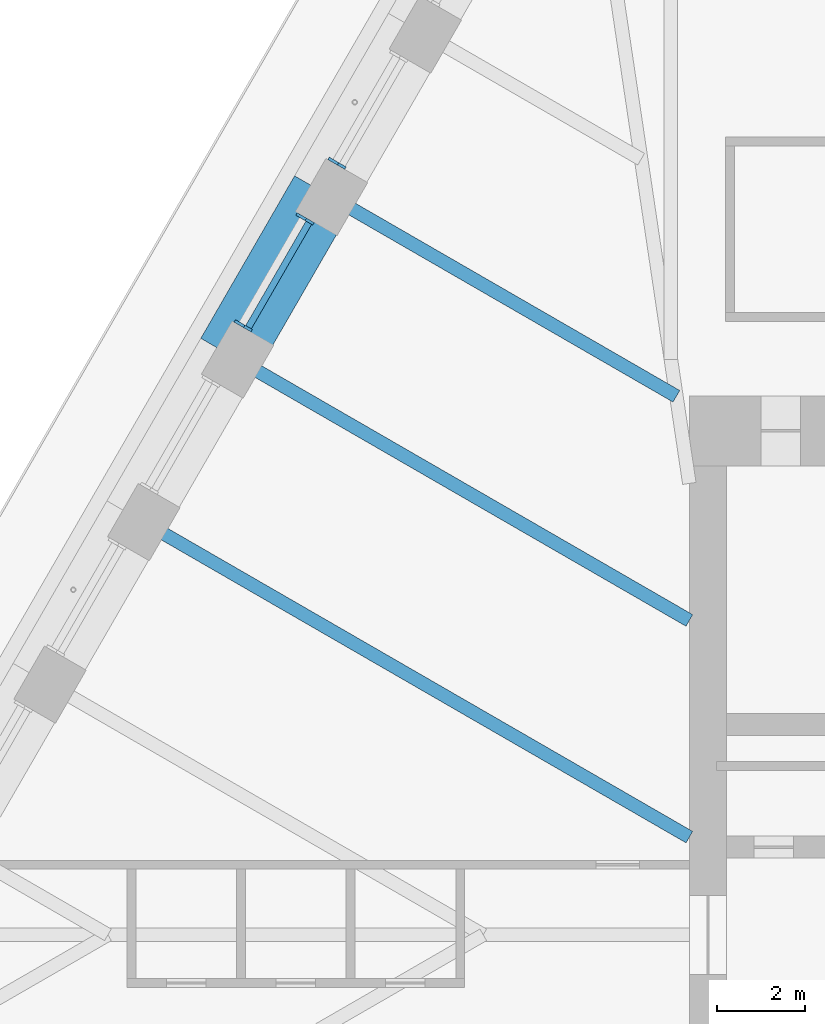
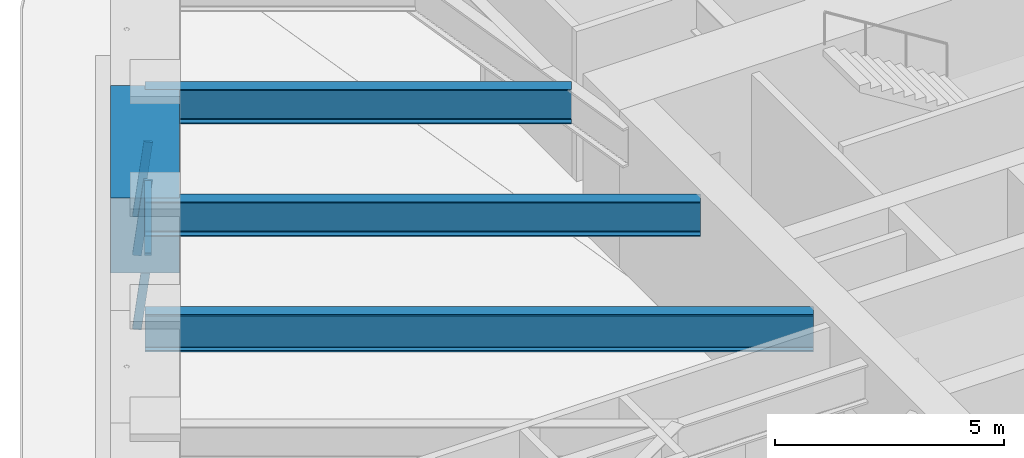
# One storey, part 7 of 18: 4 beams, 4 members, 2 elements without a shape of their own.
"""IFC4 building model written with IfcOpenShell, lengths in metres."""

from ifc_helpers import new_model, si_unit, direction, frame, origin, origin_2d, place, context, subcontext, project, spatial, rectangle, i_section, extrude, material, material_profile, profile_set, type_object, element, aggregate, save


model = new_model("IFC4")

# Units and contexts
model_context = context("Model", 3, precision=1e-05, world=origin(), true_north=direction((0.0, 1.0)))
body_context = subcontext(model_context, "Body", "Model", "MODEL_VIEW")
ifc_project = project(units=[si_unit("LENGTHUNIT", "METRE"), si_unit("AREAUNIT", "SQUARE_METRE"), si_unit("VOLUMEUNIT", "CUBIC_METRE"), si_unit("PLANEANGLEUNIT", "RADIAN"), si_unit("MASSUNIT", "GRAM", prefix="KILO")], contexts=[model_context])

# Site, building, storey
site_placement = place(None, origin())
site = spatial("IfcSite", under=ifc_project, at=site_placement, CompositionType="ELEMENT")
building_placement = place(site_placement, origin())
building = spatial("IfcBuilding", under=site, at=building_placement, Name="Tarfa Lantern Tower", CompositionType="ELEMENT")
storey_placement = place(building_placement, frame((0.0, 0.0, 324.10009765625)))
storey = spatial("IfcBuildingStorey", under=building, at=storey_placement, Name="L73", CompositionType="ELEMENT", Elevation=324.10009765625)

# Curtain wall, member
ifc_material_1 = material(Name="Aluminium framed curtain wall", Category="aluminium")
curtain_wall_type = type_object("IfcCurtainWallType", Name="CW4 CANTED GLAZING EXECUTIVE ZONE 2000", PredefinedType="USERDEFINED", material=ifc_material_1)
curtain_wall_1_placement = place(storey_placement, origin())
curtain_wall_1 = element("IfcCurtainWall", 1, at=curtain_wall_1_placement, inside=storey, type_object=curtain_wall_type, Name="CW4 NW L73", ObjectType="CURTAIN WALL", PredefinedType="USERDEFINED")
ifc_material_2 = material(Name="Aluminium mullion", Category="aluminium")
ifc_material_profile_1 = material_profile(ifc_material_2, rectangle(XDim=0.06494140625, YDim=0.199951171875, at=origin_2d()), Name="AL MULLION 65x200")
ifc_profile_set_1 = profile_set([ifc_material_profile_1], Name="Aluminium mullion")
member_type_1 = type_object("IfcMemberType", Name="CWM1 MULLION 65x200", PredefinedType="MULLION", material=ifc_profile_set_1)
member_1_placement = place(storey_placement, frame((-20.572265625, 17.667724609375, 0.0), z_axis=(0.107439978116, -0.062017213975, 0.992275423596), x_axis=(0.499919672301, 0.866071776036, 0.0)))
member_1 = element("IfcMember", 2, at=member_1_placement, type_object=member_type_1, Name="CW4 mullion 2", PredefinedType="MULLION", context=body_context, shape_type="SweptSolid", body=[
    extrude(rectangle(XDim=0.06494140625, YDim=0.199951171875, at=origin_2d()), origin(), (0.0, 0.0, 1.0), 2.015625),
])
aggregate(curtain_wall_1, [member_1])

# Curtain wall, members
curtain_wall_2_placement = place(storey_placement, origin())
curtain_wall_2 = element("IfcCurtainWall", 3, at=curtain_wall_2_placement, inside=storey, type_object=curtain_wall_type, Name="CW4 NW L73", ObjectType="CURTAIN WALL", PredefinedType="USERDEFINED")
member_2_placement = place(storey_placement, frame((-21.304931640625, 16.39892578125, 0.0), z_axis=(0.107439978116, -0.062017213975, 0.992275423596), x_axis=(0.499919672301, 0.866071776036, 0.0)))
member_2 = element("IfcMember", 4, at=member_2_placement, type_object=member_type_1, Name="CW4 mullion 1", PredefinedType="MULLION", context=body_context, shape_type="SweptSolid", body=[
    extrude(rectangle(XDim=0.06494140625, YDim=0.199951171875, at=origin_2d()), origin(), (0.0, 0.0, 1.0), 2.015625),
])
member_3_placement = place(storey_placement, frame((-22.71337890625, 13.95947265625, 0.0), z_axis=(0.107439978116, -0.062017213975, 0.992275423596), x_axis=(0.499919672301, 0.866071776036, 0.0)))
member_3 = element("IfcMember", 5, at=member_3_placement, type_object=member_type_1, Name="CW4 mullion 2", PredefinedType="MULLION", context=body_context, shape_type="SweptSolid", body=[
    extrude(rectangle(XDim=0.06494140625, YDim=0.199951171875, at=origin_2d()), origin(), (0.0, 0.0, 1.0), 2.015625),
])
ifc_material_3 = material(Name="Aluminium transom", Category="aluminium")
ifc_material_profile_2 = material_profile(ifc_material_3, rectangle(XDim=0.14990234375, YDim=0.06494140625, at=origin_2d()), Name="AL TRANSOM 150x65")
ifc_profile_set_2 = profile_set([ifc_material_profile_2], Name="Aluminium transom")
member_type_2 = type_object("IfcMemberType", Name="CWT1 TRANSOM 150x65", PredefinedType="USERDEFINED", material=ifc_profile_set_2)
member_4_placement = place(storey_placement, frame((-21.108154296875, 16.247802734375, 1.96728515625), z_axis=(-0.499993790352, -0.866028988896, 0.0), x_axis=(0.866028988896, -0.499993790352, 0.0)))
member_4 = element("IfcMember", 6, at=member_4_placement, type_object=member_type_2, Name="CW4 transom 1.2", ObjectType="TRANSOM", PredefinedType="USERDEFINED", context=body_context, shape_type="SweptSolid", body=[
    extrude(rectangle(XDim=0.14990234375, YDim=0.06494140625, at=origin_2d()), origin(), (0.0, 0.0, 1.0), 2.751953125),
])
aggregate(curtain_wall_2, [member_2, member_3, member_4])

# Beams
ifc_material_4 = material(Name="Concrete C80/95", Category="concrete")
ifc_material_profile_3 = material_profile(ifc_material_4, rectangle(XDim=1.5, YDim=2.0, at=origin_2d()), Name="RC 1500x2000")
ifc_profile_set_3 = profile_set([ifc_material_profile_3], Name="Concrete C80/95")
beam_type_1 = type_object("IfcBeamType", Name="RB3 RC 1500x2000", PredefinedType="BEAM", material=ifc_profile_set_3)
beam_1_placement = place(storey_placement, frame((-20.78271484375, 16.943359375, 3.0), z_axis=(-0.499984039138, -0.866034618596, 0.0), x_axis=(0.866034618596, -0.499984039138, 0.0)))
element("IfcBeam", 7, at=beam_1_placement, inside=storey, type_object=beam_type_1, Name="Edge beam NW2", PredefinedType="BEAM", context=body_context, shape_type="SweptSolid", body=[
    extrude(rectangle(XDim=1.5, YDim=2.0, at=origin_2d()), origin(), (0.0, 0.0, 1.0), 4.281982421875),
])
ifc_material_5 = material(Name="Steel S460M", Category="steel")
ifc_material_profile_4 = material_profile(ifc_material_5, i_section(OverallWidth=0.302001953125, OverallDepth=1.008056640625, WebThickness=0.02099609375, FlangeThickness=0.0400390625, FilletRadius=0.030029296875, at=origin_2d()), Name="UB1016x305x349")
ifc_profile_set_4 = profile_set([ifc_material_profile_4], Name="Steel S460M")
beam_type_2 = type_object("IfcBeamType", Name="UB1016x305x349", PredefinedType="BEAM", material=ifc_profile_set_4)
beam_2_placement = place(storey_placement, frame((-25.064697265625, 9.526611328125, 3.495849609375), z_axis=(0.866029591389, -0.499992746786, 0.0), x_axis=(0.499992746786, 0.866029591389, 0.0)))
element("IfcBeam", 8, at=beam_2_placement, inside=storey, type_object=beam_type_2, Name="Floor beam NW4", PredefinedType="BEAM", context=body_context, shape_type="SweptSolid", body=[
    extrude(i_section(OverallWidth=0.302001953125, OverallDepth=1.008056640625, WebThickness=0.02099609375, FlangeThickness=0.0400390625, FilletRadius=0.030029296875, at=origin_2d()), origin(), (0.0, 0.0, 1.0), 14.594970703125),
])
ifc_material_profile_5 = material_profile(ifc_material_5, i_section(OverallWidth=0.305419921875, OverallDepth=0.91845703125, WebThickness=0.017333984375, FlangeThickness=0.02783203125, FilletRadius=0.01904296875, at=origin_2d()), Name="UB914x305x253")
ifc_profile_set_5 = profile_set([ifc_material_profile_5], Name="Steel S460M")
beam_type_3 = type_object("IfcBeamType", Name="UB914x305x253", PredefinedType="BEAM", material=ifc_profile_set_5)
beam_3_placement = place(storey_placement, frame((-20.78271484375, 16.943359375, 3.540771484375), z_axis=(0.866021806508, -0.500006230613, 0.0), x_axis=(0.500006230613, 0.866021806508, 0.0)))
element("IfcBeam", 9, at=beam_3_placement, inside=storey, type_object=beam_type_3, Name="Floor beam NW2", PredefinedType="BEAM", context=body_context, shape_type="SweptSolid", body=[
    extrude(i_section(OverallWidth=0.305419921875, OverallDepth=0.91845703125, WebThickness=0.017333984375, FlangeThickness=0.02783203125, FilletRadius=0.01904296875, at=origin_2d()), origin(), (0.0, 0.0, 1.0), 9.30908203125),
])
beam_4_placement = place(storey_placement, frame((-22.923583984375, 13.235107421875, 3.540771484375), z_axis=(0.86601856927, -0.500011837539, 0.0), x_axis=(0.500011837539, 0.86601856927, 0.0)))
element("IfcBeam", 10, at=beam_4_placement, inside=storey, type_object=beam_type_3, Name="Floor beam NW3", PredefinedType="BEAM", context=body_context, shape_type="SweptSolid", body=[
    extrude(i_section(OverallWidth=0.305419921875, OverallDepth=0.91845703125, WebThickness=0.017333984375, FlangeThickness=0.02783203125, FilletRadius=0.01904296875, at=origin_2d()), origin(), (0.0, 0.0, 1.0), 12.122802734375),
])

save(model, "model.ifc")
